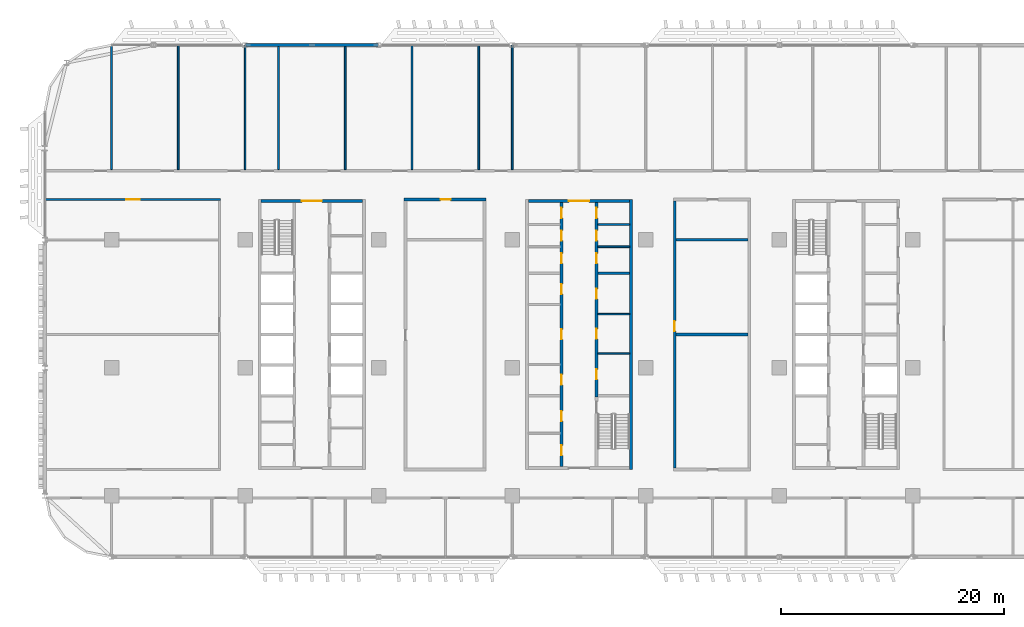
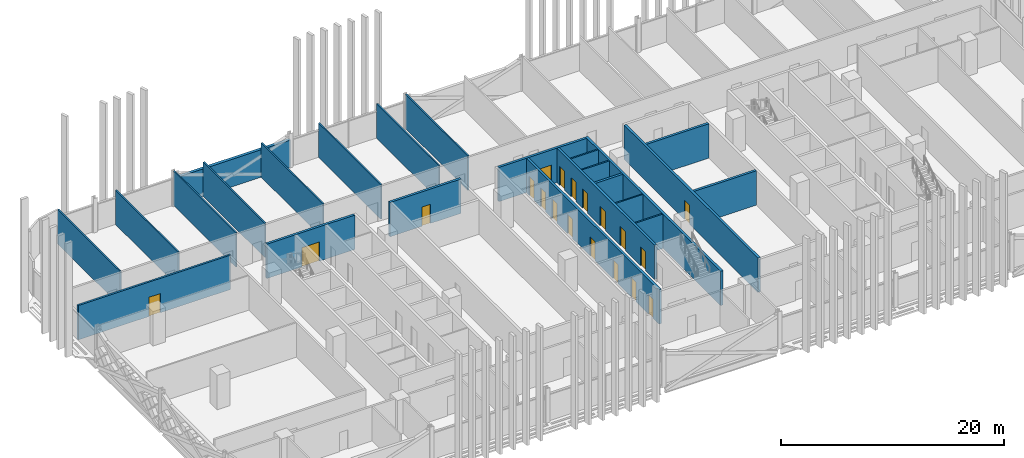
# One storey, part 15 of 32: 24 walls, 19 doors, 19 openings.
"""IFC4 building model written with IfcOpenShell, lengths in metres."""

from ifc_helpers import new_model, si_unit, direction, frame, frame_2d, origin, place, context, subcontext, project, spatial, rectangle, extrude, material, layer, layer_set, type_object, element, fill, save


model = new_model("IFC4")

# Units and contexts
model_context = context("Model", 3, precision=1e-05, world=origin(), true_north=direction((0.0, 1.0)))
body_context = subcontext(model_context, "Body", "Model", "MODEL_VIEW")
ifc_project = project(units=[si_unit("LENGTHUNIT", "METRE"), si_unit("AREAUNIT", "SQUARE_METRE"), si_unit("VOLUMEUNIT", "CUBIC_METRE"), si_unit("PLANEANGLEUNIT", "RADIAN"), si_unit("MASSUNIT", "GRAM", prefix="KILO")], contexts=[model_context])

# Site, building, storey
site_placement = place(None, origin())
site = spatial("IfcSite", under=ifc_project, at=site_placement, CompositionType="ELEMENT")
building_placement = place(site_placement, origin())
building = spatial("IfcBuilding", under=site, at=building_placement, Name="Mahtab Terrace Research Tower", CompositionType="ELEMENT")
storey_placement = place(building_placement, frame((0.0, 0.0, 138.39990234375)))
storey = spatial("IfcBuildingStorey", under=building, at=storey_placement, Name="L32", CompositionType="ELEMENT", Elevation=138.39990234375)

# Walls
ifc_material_1 = material(Name="Gypsum board partition")
ifc_layer_1 = layer(ifc_material_1, 0.14990234375)
ifc_layer_set_1 = layer_set([ifc_layer_1], Name="Core partition 150")
wall_type_1 = type_object("IfcWallType", Name="Core partition 150", PredefinedType="PARTITIONING", material=ifc_layer_set_1)
for number, where, z_axis, x_axis, name in (
    (1, (1.699951171875, 1.280029296875, 0.0), (0.0, 0.0, 1.0), (1.0, 0.0, 0.0), "Core wall B pEL-172"),
    (2, (1.699951171875, 4.827392578125, 0.0), (0.0, 0.0, 1.0), (1.0, 0.0, 0.0), "Core wall B pEL183"),
    (3, (1.699951171875, 10.875, 0.0), (0.0, 0.0, 1.0), (1.0, 0.0, 0.0), "Core wall B pEN788"),
    (4, (1.699951171875, 12.875, 0.0), (0.0, 0.0, 1.0), (1.0, 0.0, 0.0), "Core wall B pEN988"),
):
    element("IfcWall", number, at=place(storey_placement, frame(where, z_axis=z_axis, x_axis=x_axis)), inside=storey, type_object=wall_type_1, Name=name, PredefinedType="PARTITIONING", context=body_context, shape_type="SweptSolid", body=[
        extrude(rectangle(XDim=2.85009765625, YDim=0.14990234375, at=frame_2d((1.425048828125, 0.0))), origin(), (0.0, 0.0, 1.0), 3.760009765625),
    ])

# Wall, opening, door
ifc_material_2 = material(Name="Concrete C70/85", Category="concrete")
ifc_layer_2 = layer(ifc_material_2, 0.25)
ifc_layer_set_2 = layer_set([ifc_layer_2], Name="Core wall 250")
wall_type_2 = type_object("IfcWallType", Name="Core wall 250", PredefinedType="SOLIDWALL", material=ifc_layer_set_2)
wall_1_placement = place(storey_placement, frame((-28.550048828125, 15.0, 0.0), z_axis=(0.0, 0.0, 1.0), x_axis=(1.0, 0.0, 0.0)))
wall_1 = element("IfcWall", 5, at=wall_1_placement, inside=storey, type_object=wall_type_2, Name="Core wall A endN", PredefinedType="SOLIDWALL", context=body_context, shape_type="SweptSolid", body=[
    extrude(rectangle(XDim=9.10009765625, YDim=0.25, at=frame_2d((4.550048828125, 0.0))), origin(), (0.0, 0.0, 1.0), 3.760009765625),
])
opening_1_placement = place(wall_1_placement, frame((3.64990234375, 0.0, 0.0)))
opening_1 = element("IfcOpeningElement", 6, at=opening_1_placement, cuts=wall_1, Name="Opening A-N1", PredefinedType="OPENING", context=body_context, shape_type="SweptSolid", body=[
    extrude(rectangle(XDim=1.800048828125, YDim=2.10009765625, at=frame_2d((0.89990234375, 1.050048828125))), frame((0.0, 0.135009765625, 0.0), z_axis=(0.0, -1.0, 0.0), x_axis=(1.0, 0.0, 0.0)), (0.0, 0.0, 1.0), 0.27001953125),
])
ifc_material_3 = material(Name="Steel fire door", Category="steel")
door_type_1 = type_object("IfcDoorType", Name="Lobby double door 1800x2100 1 HR", OperationType="DOUBLE_DOOR_SINGLE_SWING", PredefinedType="DOOR", material=ifc_material_3)
door_1_placement = place(opening_1_placement, origin())
door_1 = element("IfcDoor", 7, at=door_1_placement, inside=storey, type_object=door_type_1, Name="Core entrance door A N", OperationType="DOUBLE_DOOR_SINGLE_SWING", OverallHeight=2.10009765625, OverallWidth=1.800048828125, PredefinedType="DOOR", context=body_context, shape_type="SweptSolid", body=[
    extrude(rectangle(XDim=1.800048828125, YDim=2.10009765625, at=frame_2d((0.89990234375, 1.050048828125))), frame((0.0, 0.02490234375, 0.0), z_axis=(0.0, -1.0, 0.0), x_axis=(1.0, 0.0, 0.0)), (0.0, 0.0, 1.0), 0.050048828125),
])
fill(opening_1, door_1)

# Wall
wall_2_placement = place(storey_placement, frame((4.675048828125, -9.125, 0.0), z_axis=(0.0, 0.0, 1.0), x_axis=(0.0, 1.0, 0.0)))
element("IfcWall", 8, at=wall_2_placement, inside=storey, type_object=wall_type_2, Name="Core wall B outerE", PredefinedType="SOLIDWALL", context=body_context, shape_type="SweptSolid", body=[
    extrude(rectangle(XDim=24.25, YDim=0.25, at=frame_2d((12.125, 0.0))), origin(), (0.0, 0.0, 1.0), 3.760009765625),
])

# Wall, opening, door
wall_3_placement = place(storey_placement, frame((-4.550048828125, 15.0, 0.0), z_axis=(0.0, 0.0, 1.0), x_axis=(1.0, 0.0, 0.0)))
wall_3 = element("IfcWall", 9, at=wall_3_placement, inside=storey, type_object=wall_type_2, Name="Core wall B endN", PredefinedType="SOLIDWALL", context=body_context, shape_type="SweptSolid", body=[
    extrude(rectangle(XDim=9.10009765625, YDim=0.25, at=frame_2d((4.550048828125, 0.0))), origin(), (0.0, 0.0, 1.0), 3.760009765625),
])
opening_2_placement = place(wall_3_placement, frame((3.64990234375, 0.0, 0.0)))
opening_2 = element("IfcOpeningElement", 10, at=opening_2_placement, cuts=wall_3, Name="Opening B-N1", PredefinedType="OPENING", context=body_context, shape_type="SweptSolid", body=[
    extrude(rectangle(XDim=1.800048828125, YDim=2.10009765625, at=frame_2d((0.89990234375, 1.050048828125))), frame((0.0, 0.135009765625, 0.0), z_axis=(0.0, -1.0, 0.0), x_axis=(1.0, 0.0, 0.0)), (0.0, 0.0, 1.0), 0.27001953125),
])
door_2_placement = place(opening_2_placement, origin())
door_2 = element("IfcDoor", 11, at=door_2_placement, inside=storey, type_object=door_type_1, Name="Core entrance door B N", OperationType="DOUBLE_DOOR_SINGLE_SWING", OverallHeight=2.10009765625, OverallWidth=1.800048828125, PredefinedType="DOOR", context=body_context, shape_type="SweptSolid", body=[
    extrude(rectangle(XDim=1.800048828125, YDim=2.10009765625, at=frame_2d((0.89990234375, 1.050048828125))), frame((0.0, 0.02490234375, 0.0), z_axis=(0.0, -1.0, 0.0), x_axis=(1.0, 0.0, 0.0)), (0.0, 0.0, 1.0), 0.050048828125),
])
fill(opening_2, door_2)

# Wall, openings, doors
wall_4_placement = place(storey_placement, frame((-1.574951171875, -8.875, 0.0), z_axis=(0.0, 0.0, 1.0), x_axis=(0.0, 1.0, 0.0)))
wall_4 = element("IfcWall", 12, at=wall_4_placement, inside=storey, type_object=wall_type_2, Name="Core wall B innerWSLN", PredefinedType="SOLIDWALL", context=body_context, shape_type="SweptSolid", body=[
    extrude(rectangle(XDim=23.75, YDim=0.25, at=frame_2d((11.875, 0.0))), origin(), (0.0, 0.0, 1.0), 3.760009765625),
])
opening_3_placement = place(wall_4_placement, frame((7.356201171875, 0.0, 0.0)))
opening_3 = element("IfcOpeningElement", 13, at=opening_3_placement, cuts=wall_4, Name="Opening B-R1", PredefinedType="OPENING", context=body_context, shape_type="SweptSolid", body=[
    extrude(rectangle(XDim=0.89990234375, YDim=2.10009765625, at=frame_2d((0.449951171875, 1.050048828125))), frame((0.0, 0.135009765625, 0.0), z_axis=(0.0, -1.0, 0.0), x_axis=(1.0, 0.0, 0.0)), (0.0, 0.0, 1.0), 0.27001953125),
])
opening_4_placement = place(wall_4_placement, frame((11.425048828125, 0.0, 0.0)))
opening_4 = element("IfcOpeningElement", 14, at=opening_4_placement, cuts=wall_4, Name="Opening B-R2", PredefinedType="OPENING", context=body_context, shape_type="SweptSolid", body=[
    extrude(rectangle(XDim=0.89990234375, YDim=2.10009765625, at=frame_2d((0.449951171875, 1.050048828125))), frame((0.0, 0.135009765625, 0.0), z_axis=(0.0, -1.0, 0.0), x_axis=(1.0, 0.0, 0.0)), (0.0, 0.0, 1.0), 0.27001953125),
])
opening_5_placement = place(wall_4_placement, frame((15.493896484375, 0.0, 0.0)))
opening_5 = element("IfcOpeningElement", 15, at=opening_5_placement, cuts=wall_4, Name="Opening B-R3", PredefinedType="OPENING", context=body_context, shape_type="SweptSolid", body=[
    extrude(rectangle(XDim=0.89990234375, YDim=2.10009765625, at=frame_2d((0.449951171875, 1.050048828125))), frame((0.0, 0.135009765625, 0.0), z_axis=(0.0, -1.0, 0.0), x_axis=(1.0, 0.0, 0.0)), (0.0, 0.0, 1.0), 0.27001953125),
])
opening_6_placement = place(wall_4_placement, frame((1.012451171875, 0.0, 0.0)))
opening_6 = element("IfcOpeningElement", 16, at=opening_6_placement, cuts=wall_4, Name="Opening B-R7", PredefinedType="OPENING", context=body_context, shape_type="SweptSolid", body=[
    extrude(rectangle(XDim=0.89990234375, YDim=2.10009765625, at=frame_2d((0.449951171875, 1.050048828125))), frame((0.0, 0.135009765625, 0.0), z_axis=(0.0, -1.0, 0.0), x_axis=(1.0, 0.0, 0.0)), (0.0, 0.0, 1.0), 0.27001953125),
])
opening_7_placement = place(wall_4_placement, frame((4.08740234375, 0.0, 0.0)))
opening_7 = element("IfcOpeningElement", 17, at=opening_7_placement, cuts=wall_4, Name="Opening B-R8", PredefinedType="OPENING", context=body_context, shape_type="SweptSolid", body=[
    extrude(rectangle(XDim=0.89990234375, YDim=2.10009765625, at=frame_2d((0.449951171875, 1.050048828125))), frame((0.0, 0.135009765625, 0.0), z_axis=(0.0, -1.0, 0.0), x_axis=(1.0, 0.0, 0.0)), (0.0, 0.0, 1.0), 0.27001953125),
])
opening_8_placement = place(wall_4_placement, frame((18.262451171875, 0.0, 0.0)))
opening_8 = element("IfcOpeningElement", 18, at=opening_8_placement, cuts=wall_4, Name="Opening B-R9", PredefinedType="OPENING", context=body_context, shape_type="SweptSolid", body=[
    extrude(rectangle(XDim=0.89990234375, YDim=2.10009765625, at=frame_2d((0.449951171875, 1.050048828125))), frame((0.0, 0.135009765625, 0.0), z_axis=(0.0, -1.0, 0.0), x_axis=(1.0, 0.0, 0.0)), (0.0, 0.0, 1.0), 0.27001953125),
])
opening_9_placement = place(wall_4_placement, frame((20.300048828125, 0.0, 0.0)))
opening_9 = element("IfcOpeningElement", 19, at=opening_9_placement, cuts=wall_4, Name="Opening B-R10", PredefinedType="OPENING", context=body_context, shape_type="SweptSolid", body=[
    extrude(rectangle(XDim=0.89990234375, YDim=2.10009765625, at=frame_2d((0.449951171875, 1.050048828125))), frame((0.0, 0.135009765625, 0.0), z_axis=(0.0, -1.0, 0.0), x_axis=(1.0, 0.0, 0.0)), (0.0, 0.0, 1.0), 0.27001953125),
])
opening_10_placement = place(wall_4_placement, frame((22.33740234375, 0.0, 0.0)))
opening_10 = element("IfcOpeningElement", 20, at=opening_10_placement, cuts=wall_4, Name="Opening B-R11", PredefinedType="OPENING", context=body_context, shape_type="SweptSolid", body=[
    extrude(rectangle(XDim=0.89990234375, YDim=2.10009765625, at=frame_2d((0.449951171875, 1.050048828125))), frame((0.0, 0.135009765625, 0.0), z_axis=(0.0, -1.0, 0.0), x_axis=(1.0, 0.0, 0.0)), (0.0, 0.0, 1.0), 0.27001953125),
])
door_type_2 = type_object("IfcDoorType", Name="Room door 900x2100 1 HR", OperationType="NOTDEFINED", PredefinedType="DOOR", material=ifc_material_3)
door_3_placement = place(opening_3_placement, origin())
door_3 = element("IfcDoor", 21, at=door_3_placement, inside=storey, type_object=door_type_2, Name="Comms room door", OperationType="SINGLE_SWING_LEFT", OverallHeight=2.10009765625, OverallWidth=0.89990234375, PredefinedType="DOOR", context=body_context, shape_type="SweptSolid", body=[
    extrude(rectangle(XDim=0.89990234375, YDim=2.10009765625, at=frame_2d((0.449951171875, 1.050048828125))), frame((0.0, 0.02490234375, 0.0), z_axis=(0.0, -1.0, 0.0), x_axis=(1.0, 0.0, 0.0)), (0.0, 0.0, 1.0), 0.050048828125),
])
fill(opening_3, door_3)
door_4_placement = place(opening_4_placement, origin())
door_4 = element("IfcDoor", 22, at=door_4_placement, inside=storey, type_object=door_type_2, Name="Meeting alcove door", OperationType="SINGLE_SWING_RIGHT", OverallHeight=2.10009765625, OverallWidth=0.89990234375, PredefinedType="DOOR", context=body_context, shape_type="SweptSolid", body=[
    extrude(rectangle(XDim=0.89990234375, YDim=2.10009765625, at=frame_2d((0.449951171875, 1.050048828125))), frame((0.0, 0.02490234375, 0.0), z_axis=(0.0, -1.0, 0.0), x_axis=(1.0, 0.0, 0.0)), (0.0, 0.0, 1.0), 0.050048828125),
])
fill(opening_4, door_4)
door_5_placement = place(opening_5_placement, origin())
door_5 = element("IfcDoor", 23, at=door_5_placement, inside=storey, type_object=door_type_2, Name="Linen store door", OperationType="SINGLE_SWING_LEFT", OverallHeight=2.10009765625, OverallWidth=0.89990234375, PredefinedType="DOOR", context=body_context, shape_type="SweptSolid", body=[
    extrude(rectangle(XDim=0.89990234375, YDim=2.10009765625, at=frame_2d((0.449951171875, 1.050048828125))), frame((0.0, 0.02490234375, 0.0), z_axis=(0.0, -1.0, 0.0), x_axis=(1.0, 0.0, 0.0)), (0.0, 0.0, 1.0), 0.050048828125),
])
fill(opening_5, door_5)
door_6_placement = place(opening_6_placement, origin())
door_6 = element("IfcDoor", 24, at=door_6_placement, inside=storey, type_object=door_type_2, Name="Housekeeping store door", OperationType="SINGLE_SWING_LEFT", OverallHeight=2.10009765625, OverallWidth=0.89990234375, PredefinedType="DOOR", context=body_context, shape_type="SweptSolid", body=[
    extrude(rectangle(XDim=0.89990234375, YDim=2.10009765625, at=frame_2d((0.449951171875, 1.050048828125))), frame((0.0, 0.02490234375, 0.0), z_axis=(0.0, -1.0, 0.0), x_axis=(1.0, 0.0, 0.0)), (0.0, 0.0, 1.0), 0.050048828125),
])
fill(opening_6, door_6)
door_7_placement = place(opening_7_placement, origin())
door_7 = element("IfcDoor", 25, at=door_7_placement, inside=storey, type_object=door_type_2, Name="Electrical riser room door", OperationType="SINGLE_SWING_RIGHT", OverallHeight=2.10009765625, OverallWidth=0.89990234375, PredefinedType="DOOR", context=body_context, shape_type="SweptSolid", body=[
    extrude(rectangle(XDim=0.89990234375, YDim=2.10009765625, at=frame_2d((0.449951171875, 1.050048828125))), frame((0.0, 0.02490234375, 0.0), z_axis=(0.0, -1.0, 0.0), x_axis=(1.0, 0.0, 0.0)), (0.0, 0.0, 1.0), 0.050048828125),
])
fill(opening_7, door_7)
door_8_placement = place(opening_8_placement, origin())
door_8 = element("IfcDoor", 26, at=door_8_placement, inside=storey, type_object=door_type_2, Name="Comms riser room door", OperationType="SINGLE_SWING_LEFT", OverallHeight=2.10009765625, OverallWidth=0.89990234375, PredefinedType="DOOR", context=body_context, shape_type="SweptSolid", body=[
    extrude(rectangle(XDim=0.89990234375, YDim=2.10009765625, at=frame_2d((0.449951171875, 1.050048828125))), frame((0.0, 0.02490234375, 0.0), z_axis=(0.0, -1.0, 0.0), x_axis=(1.0, 0.0, 0.0)), (0.0, 0.0, 1.0), 0.050048828125),
])
fill(opening_8, door_8)
door_9_placement = place(opening_9_placement, origin())
door_9 = element("IfcDoor", 27, at=door_9_placement, inside=storey, type_object=door_type_2, Name="Pantry door", OperationType="SINGLE_SWING_RIGHT", OverallHeight=2.10009765625, OverallWidth=0.89990234375, PredefinedType="DOOR", context=body_context, shape_type="SweptSolid", body=[
    extrude(rectangle(XDim=0.89990234375, YDim=2.10009765625, at=frame_2d((0.449951171875, 1.050048828125))), frame((0.0, 0.02490234375, 0.0), z_axis=(0.0, -1.0, 0.0), x_axis=(1.0, 0.0, 0.0)), (0.0, 0.0, 1.0), 0.050048828125),
])
fill(opening_9, door_9)
door_10_placement = place(opening_10_placement, origin())
door_10 = element("IfcDoor", 28, at=door_10_placement, inside=storey, type_object=door_type_2, Name="Cleaners store door", OperationType="SINGLE_SWING_LEFT", OverallHeight=2.10009765625, OverallWidth=0.89990234375, PredefinedType="DOOR", context=body_context, shape_type="SweptSolid", body=[
    extrude(rectangle(XDim=0.89990234375, YDim=2.10009765625, at=frame_2d((0.449951171875, 1.050048828125))), frame((0.0, 0.02490234375, 0.0), z_axis=(0.0, -1.0, 0.0), x_axis=(1.0, 0.0, 0.0)), (0.0, 0.0, 1.0), 0.050048828125),
])
fill(opening_10, door_10)

wall_5_placement = place(storey_placement, frame((1.574951171875, 14.875, 0.0), z_axis=(0.0, 0.0, 1.0), x_axis=(0.0, -1.0, 0.0)))
wall_5 = element("IfcWall", 29, at=wall_5_placement, inside=storey, type_object=wall_type_2, Name="Core wall B innerELN", PredefinedType="SOLIDWALL", context=body_context, shape_type="SweptSolid", body=[
    extrude(rectangle(XDim=17.5, YDim=0.25, at=frame_2d((8.75, 0.0))), origin(), (0.0, 0.0, 1.0), 3.760009765625),
])
opening_11_placement = place(wall_5_placement, frame((15.010009765625, 0.0, 0.0)))
opening_11 = element("IfcOpeningElement", 30, at=opening_11_placement, cuts=wall_5, Name="Opening B-R4", PredefinedType="OPENING", context=body_context, shape_type="SweptSolid", body=[
    extrude(rectangle(XDim=0.89990234375, YDim=2.10009765625, at=frame_2d((0.449951171875, 1.050048828125))), frame((0.0, 0.135009765625, 0.0), z_axis=(0.0, -1.0, 0.0), x_axis=(1.0, 0.0, 0.0)), (0.0, 0.0, 1.0), 0.27001953125),
])
opening_12_placement = place(wall_5_placement, frame((11.37109375, 0.0, 0.0)))
opening_12 = element("IfcOpeningElement", 31, at=opening_12_placement, cuts=wall_5, Name="Opening B-R5", PredefinedType="OPENING", context=body_context, shape_type="SweptSolid", body=[
    extrude(rectangle(XDim=0.89990234375, YDim=2.10009765625, at=frame_2d((0.449951171875, 1.050048828125))), frame((0.0, 0.135009765625, 0.0), z_axis=(0.0, -1.0, 0.0), x_axis=(1.0, 0.0, 0.0)), (0.0, 0.0, 1.0), 0.27001953125),
])
opening_13_placement = place(wall_5_placement, frame((7.7861328125, 0.0, 0.0)))
opening_13 = element("IfcOpeningElement", 32, at=opening_13_placement, cuts=wall_5, Name="Opening B-R6", PredefinedType="OPENING", context=body_context, shape_type="SweptSolid", body=[
    extrude(rectangle(XDim=0.89990234375, YDim=2.10009765625, at=frame_2d((0.449951171875, 1.050048828125))), frame((0.0, 0.135009765625, 0.0), z_axis=(0.0, -1.0, 0.0), x_axis=(1.0, 0.0, 0.0)), (0.0, 0.0, 1.0), 0.27001953125),
])
opening_14_placement = place(wall_5_placement, frame((4.58740234375, 0.0, 0.0)))
opening_14 = element("IfcOpeningElement", 33, at=opening_14_placement, cuts=wall_5, Name="Opening B-R12", PredefinedType="OPENING", context=body_context, shape_type="SweptSolid", body=[
    extrude(rectangle(XDim=0.89990234375, YDim=2.10009765625, at=frame_2d((0.449951171875, 1.050048828125))), frame((0.0, 0.135009765625, 0.0), z_axis=(0.0, -1.0, 0.0), x_axis=(1.0, 0.0, 0.0)), (0.0, 0.0, 1.0), 0.27001953125),
])
opening_15_placement = place(wall_5_placement, frame((2.550048828125, 0.0, 0.0)))
opening_15 = element("IfcOpeningElement", 34, at=opening_15_placement, cuts=wall_5, Name="Opening B-R13", PredefinedType="OPENING", context=body_context, shape_type="SweptSolid", body=[
    extrude(rectangle(XDim=0.89990234375, YDim=2.10009765625, at=frame_2d((0.449951171875, 1.050048828125))), frame((0.0, 0.135009765625, 0.0), z_axis=(0.0, -1.0, 0.0), x_axis=(1.0, 0.0, 0.0)), (0.0, 0.0, 1.0), 0.27001953125),
])
opening_16_placement = place(wall_5_placement, frame((0.512451171875, 0.0, 0.0)))
opening_16 = element("IfcOpeningElement", 35, at=opening_16_placement, cuts=wall_5, Name="Opening B-R14", PredefinedType="OPENING", context=body_context, shape_type="SweptSolid", body=[
    extrude(rectangle(XDim=0.89990234375, YDim=2.10009765625, at=frame_2d((0.449951171875, 1.050048828125))), frame((0.0, 0.135009765625, 0.0), z_axis=(0.0, -1.0, 0.0), x_axis=(1.0, 0.0, 0.0)), (0.0, 0.0, 1.0), 0.27001953125),
])
door_11_placement = place(opening_11_placement, origin())
door_11 = element("IfcDoor", 36, at=door_11_placement, inside=storey, type_object=door_type_2, Name="Battery room door", OperationType="SINGLE_SWING_RIGHT", OverallHeight=2.10009765625, OverallWidth=0.89990234375, PredefinedType="DOOR", context=body_context, shape_type="SweptSolid", body=[
    extrude(rectangle(XDim=0.89990234375, YDim=2.10009765625, at=frame_2d((0.449951171875, 1.050048828125))), frame((0.0, 0.02490234375, 0.0), z_axis=(0.0, -1.0, 0.0), x_axis=(1.0, 0.0, 0.0)), (0.0, 0.0, 1.0), 0.050048828125),
])
fill(opening_11, door_11)
door_12_placement = place(opening_12_placement, origin())
door_12 = element("IfcDoor", 37, at=door_12_placement, inside=storey, type_object=door_type_2, Name="Cooling plant room door", OperationType="SINGLE_SWING_LEFT", OverallHeight=2.10009765625, OverallWidth=0.89990234375, PredefinedType="DOOR", context=body_context, shape_type="SweptSolid", body=[
    extrude(rectangle(XDim=0.89990234375, YDim=2.10009765625, at=frame_2d((0.449951171875, 1.050048828125))), frame((0.0, 0.02490234375, 0.0), z_axis=(0.0, -1.0, 0.0), x_axis=(1.0, 0.0, 0.0)), (0.0, 0.0, 1.0), 0.050048828125),
])
fill(opening_12, door_12)
door_13_placement = place(opening_13_placement, origin())
door_13 = element("IfcDoor", 38, at=door_13_placement, inside=storey, type_object=door_type_2, Name="Spare parts store door", OperationType="SINGLE_SWING_RIGHT", OverallHeight=2.10009765625, OverallWidth=0.89990234375, PredefinedType="DOOR", context=body_context, shape_type="SweptSolid", body=[
    extrude(rectangle(XDim=0.89990234375, YDim=2.10009765625, at=frame_2d((0.449951171875, 1.050048828125))), frame((0.0, 0.02490234375, 0.0), z_axis=(0.0, -1.0, 0.0), x_axis=(1.0, 0.0, 0.0)), (0.0, 0.0, 1.0), 0.050048828125),
])
fill(opening_13, door_13)
door_14_placement = place(opening_14_placement, origin())
door_14 = element("IfcDoor", 39, at=door_14_placement, inside=storey, type_object=door_type_2, Name="Male WC door", OperationType="SINGLE_SWING_RIGHT", OverallHeight=2.10009765625, OverallWidth=0.89990234375, PredefinedType="DOOR", context=body_context, shape_type="SweptSolid", body=[
    extrude(rectangle(XDim=0.89990234375, YDim=2.10009765625, at=frame_2d((0.449951171875, 1.050048828125))), frame((0.0, 0.02490234375, 0.0), z_axis=(0.0, -1.0, 0.0), x_axis=(1.0, 0.0, 0.0)), (0.0, 0.0, 1.0), 0.050048828125),
])
fill(opening_14, door_14)
door_15_placement = place(opening_15_placement, origin())
door_15 = element("IfcDoor", 40, at=door_15_placement, inside=storey, type_object=door_type_2, Name="Female WC door", OperationType="SINGLE_SWING_LEFT", OverallHeight=2.10009765625, OverallWidth=0.89990234375, PredefinedType="DOOR", context=body_context, shape_type="SweptSolid", body=[
    extrude(rectangle(XDim=0.89990234375, YDim=2.10009765625, at=frame_2d((0.449951171875, 1.050048828125))), frame((0.0, 0.02490234375, 0.0), z_axis=(0.0, -1.0, 0.0), x_axis=(1.0, 0.0, 0.0)), (0.0, 0.0, 1.0), 0.050048828125),
])
fill(opening_15, door_15)
door_16_placement = place(opening_16_placement, origin())
door_16 = element("IfcDoor", 41, at=door_16_placement, inside=storey, type_object=door_type_2, Name="Accessible WC door", OperationType="SINGLE_SWING_RIGHT", OverallHeight=2.10009765625, OverallWidth=0.89990234375, PredefinedType="DOOR", context=body_context, shape_type="SweptSolid", body=[
    extrude(rectangle(XDim=0.89990234375, YDim=2.10009765625, at=frame_2d((0.449951171875, 1.050048828125))), frame((0.0, 0.02490234375, 0.0), z_axis=(0.0, -1.0, 0.0), x_axis=(1.0, 0.0, 0.0)), (0.0, 0.0, 1.0), 0.050048828125),
])
fill(opening_16, door_16)

# Walls
wall_6_placement = place(storey_placement, frame((1.699951171875, 8.5, 0.0), z_axis=(0.0, 0.0, 1.0), x_axis=(1.0, 0.0, 0.0)))
element("IfcWall", 42, at=wall_6_placement, inside=storey, type_object=wall_type_2, Name="Core wall B divE4", PredefinedType="SOLIDWALL", context=body_context, shape_type="SweptSolid", body=[
    extrude(rectangle(XDim=2.85009765625, YDim=0.25, at=frame_2d((1.425048828125, 0.0))), origin(), (0.0, 0.0, 1.0), 3.760009765625),
])
ifc_material_4 = material(Name="Black aluminium cladding panel", Category="aluminium")
ifc_layer_3 = layer(ifc_material_4, 0.300048828125)
ifc_layer_set_3 = layer_set([ifc_layer_3], Name="Opaque facade wall 300")
wall_type_3 = type_object("IfcWallType", Name="Opaque facade wall 300", PredefinedType="NOTDEFINED", material=ifc_layer_set_3)
wall_7_placement = place(storey_placement, frame((-18.017822265625, 29.0, 0.0), z_axis=(0.0, 0.0, 1.0), x_axis=(-1.0, 0.0, 0.0)))
element("IfcWall", 43, at=wall_7_placement, inside=storey, type_object=wall_type_3, Name="Opaque facade wall L32 N8", PredefinedType="NOTDEFINED", context=body_context, shape_type="SweptSolid", body=[
    extrude(rectangle(XDim=11.96435546875, YDim=0.300048828125, at=frame_2d((5.982177734375, 0.0))), origin(), (0.0, 0.0, 1.0), 3.003173828125),
])
ifc_material_5 = material(Name="Masonry control area wall", Category="masonry")
ifc_layer_4 = layer(ifc_material_5, 0.25)
ifc_layer_set_4 = layer_set([ifc_layer_4], Name="WALL CONTROL AREA 250")
wall_type_4 = type_object("IfcWallType", Name="WALL CONTROL AREA 250", PredefinedType="PARTITIONING", material=ifc_layer_set_4)
for number, where, z_axis, x_axis, name in (
    (44, (8.72509765625, 3.0, 0.0), (0.0, 0.0, 1.0), (1.0, 0.0, 0.0), "L32-W015"),
    (45, (8.72509765625, 11.5, 0.0), (0.0, 0.0, 1.0), (1.0, 0.0, 0.0), "L32-W019"),
):
    element("IfcWall", number, at=place(storey_placement, frame(where, z_axis=z_axis, x_axis=x_axis)), inside=storey, type_object=wall_type_4, Name=name, PredefinedType="PARTITIONING", context=body_context, shape_type="SweptSolid", body=[
        extrude(rectangle(XDim=6.449951171875, YDim=0.25, at=frame_2d((3.22509765625, 0.0))), origin(), (0.0, 0.0, 1.0), 3.760009765625),
    ])

# Wall, opening, door
wall_8_placement = place(storey_placement, frame((-15.72509765625, 15.125, 0.0), z_axis=(0.0, 0.0, 1.0), x_axis=(1.0, 0.0, 0.0)))
wall_8 = element("IfcWall", 46, at=wall_8_placement, inside=storey, type_object=wall_type_4, Name="L32-W023", PredefinedType="PARTITIONING", context=body_context, shape_type="SweptSolid", body=[
    extrude(rectangle(XDim=7.35009765625, YDim=0.25, at=frame_2d((3.675048828125, 0.0))), origin(), (0.0, 0.0, 1.0), 3.760009765625),
])
opening_17_placement = place(wall_8_placement, frame((3.300048828125, 0.0, 0.0)))
opening_17 = element("IfcOpeningElement", 47, at=opening_17_placement, cuts=wall_8, Name="Opening L32-125", PredefinedType="OPENING", context=body_context, shape_type="SweptSolid", body=[
    extrude(rectangle(XDim=0.89990234375, YDim=2.10009765625, at=frame_2d((0.449951171875, 1.050048828125))), frame((0.0, 0.135009765625, 0.0), z_axis=(0.0, -1.0, 0.0), x_axis=(1.0, 0.0, 0.0)), (0.0, 0.0, 1.0), 0.27001953125),
])
ifc_material_6 = material(Name="Timber door leaf in steel frame", Category="steel")
door_type_3 = type_object("IfcDoorType", Name="DOOR 0900X2100 FD120", OperationType="SINGLE_SWING_LEFT", PredefinedType="DOOR", material=ifc_material_6)
door_17_placement = place(opening_17_placement, origin())
door_17 = element("IfcDoor", 48, at=door_17_placement, inside=storey, type_object=door_type_3, Name="Door L32-125", OperationType="SINGLE_SWING_LEFT", OverallHeight=2.10009765625, OverallWidth=0.89990234375, PredefinedType="DOOR", context=body_context, shape_type="SweptSolid", body=[
    extrude(rectangle(XDim=0.89990234375, YDim=2.10009765625, at=frame_2d((0.449951171875, 1.050048828125))), frame((0.0, 0.02490234375, 0.0), z_axis=(0.0, -1.0, 0.0), x_axis=(1.0, 0.0, 0.0)), (0.0, 0.0, 1.0), 0.050048828125),
])
fill(opening_17, door_17)

wall_9_placement = place(storey_placement, frame((8.60009765625, -9.0, 0.0), z_axis=(0.0, 0.0, 1.0), x_axis=(0.0, 1.0, 0.0)))
wall_9 = element("IfcWall", 49, at=wall_9_placement, inside=storey, type_object=wall_type_4, Name="L32-W049", PredefinedType="PARTITIONING", context=body_context, shape_type="SweptSolid", body=[
    extrude(rectangle(XDim=24.0, YDim=0.25, at=frame_2d((12.0, 0.0))), origin(), (0.0, 0.0, 1.0), 3.760009765625),
])
opening_18_placement = place(wall_9_placement, frame((12.300048828125, 0.0, 0.0)))
opening_18 = element("IfcOpeningElement", 50, at=opening_18_placement, cuts=wall_9, Name="Opening L32-123", PredefinedType="OPENING", context=body_context, shape_type="SweptSolid", body=[
    extrude(rectangle(XDim=0.89990234375, YDim=2.10009765625, at=frame_2d((0.449951171875, 1.050048828125))), frame((0.0, 0.135009765625, 0.0), z_axis=(0.0, -1.0, 0.0), x_axis=(1.0, 0.0, 0.0)), (0.0, 0.0, 1.0), 0.27001953125),
])
door_18_placement = place(opening_18_placement, origin())
door_18 = element("IfcDoor", 51, at=door_18_placement, inside=storey, type_object=door_type_3, Name="Door L32-123", OperationType="SINGLE_SWING_LEFT", OverallHeight=2.10009765625, OverallWidth=0.89990234375, PredefinedType="DOOR", context=body_context, shape_type="SweptSolid", body=[
    extrude(rectangle(XDim=0.89990234375, YDim=2.10009765625, at=frame_2d((0.449951171875, 1.050048828125))), frame((0.0, 0.02490234375, 0.0), z_axis=(0.0, -1.0, 0.0), x_axis=(1.0, 0.0, 0.0)), (0.0, 0.0, 1.0), 0.050048828125),
])
fill(opening_18, door_18)

ifc_material_7 = material(Name="Gypsum board corridor wall on steel studs", Category="steel")
ifc_layer_5 = layer(ifc_material_7, 0.199951171875)
ifc_layer_set_5 = layer_set([ifc_layer_5], Name="WALL CORRIDOR 200")
wall_type_5 = type_object("IfcWallType", Name="WALL CORRIDOR 200", PredefinedType="PARTITIONING", material=ifc_layer_set_5)
wall_10_placement = place(storey_placement, frame((-47.97509765625, 15.125, 0.0), z_axis=(0.0, 0.0, 1.0), x_axis=(1.0, 0.0, 0.0)))
wall_10 = element("IfcWall", 52, at=wall_10_placement, inside=storey, type_object=wall_type_5, Name="L32-W022", PredefinedType="PARTITIONING", context=body_context, shape_type="SweptSolid", body=[
    extrude(rectangle(XDim=15.775146484375, YDim=0.199951171875, at=frame_2d((7.8876953125, 0.0))), origin(), (0.0, 0.0, 1.0), 3.760009765625),
])
opening_19_placement = place(wall_10_placement, frame((7.300048828125, 0.0, 0.0)))
opening_19 = element("IfcOpeningElement", 53, at=opening_19_placement, cuts=wall_10, Name="Opening L32-124", PredefinedType="OPENING", context=body_context, shape_type="SweptSolid", body=[
    extrude(rectangle(XDim=1.199951171875, YDim=2.10009765625, at=frame_2d((0.60009765625, 1.050048828125))), frame((0.0, 0.10986328125, 0.0), z_axis=(0.0, -1.0, 0.0), x_axis=(1.0, 0.0, 0.0)), (0.0, 0.0, 1.0), 0.219970703125),
])
door_type_4 = type_object("IfcDoorType", Name="DOOR 1200X2100 FD30S", OperationType="SINGLE_SWING_LEFT", PredefinedType="DOOR", material=ifc_material_6)
door_19_placement = place(opening_19_placement, origin())
door_19 = element("IfcDoor", 54, at=door_19_placement, inside=storey, type_object=door_type_4, Name="Door L32-124", OperationType="SINGLE_SWING_LEFT", OverallHeight=2.10009765625, OverallWidth=1.199951171875, PredefinedType="DOOR", context=body_context, shape_type="SweptSolid", body=[
    extrude(rectangle(XDim=1.199951171875, YDim=2.10009765625, at=frame_2d((0.60009765625, 1.050048828125))), frame((0.0, 0.02490234375, 0.0), z_axis=(0.0, -1.0, 0.0), x_axis=(1.0, 0.0, 0.0)), (0.0, 0.0, 1.0), 0.050048828125),
])
fill(opening_19, door_19)

# Walls
ifc_material_8 = material(Name="Gypsum board partition on steel studs", Category="steel")
ifc_layer_6 = layer(ifc_material_8, 0.14990234375)
ifc_layer_set_6 = layer_set([ifc_layer_6], Name="WALL PARTITION 150")
wall_type_6 = type_object("IfcWallType", Name="WALL PARTITION 150", PredefinedType="PARTITIONING", material=ifc_layer_set_6)
for number, where, z_axis, x_axis, name in (
    (55, (-42.0, 17.800048828125, 0.0), (0.0, 0.0, 1.0), (0.0, 1.0, 0.0), "L32-W028"),
    (56, (-36.0, 17.800048828125, 0.0), (0.0, 0.0, 1.0), (0.0, 1.0, 0.0), "L32-W029"),
    (57, (-30.0, 17.800048828125, 0.0), (0.0, 0.0, 1.0), (0.0, 1.0, 0.0), "L32-W033"),
):
    element("IfcWall", number, at=place(storey_placement, frame(where, z_axis=z_axis, x_axis=x_axis)), inside=storey, type_object=wall_type_6, Name=name, PredefinedType="PARTITIONING", context=body_context, shape_type="SweptSolid", body=[
        extrude(rectangle(XDim=11.175048828125, YDim=0.14990234375, at=frame_2d((5.58740234375, 0.0))), origin(), (0.0, 0.0, 1.0), 3.760009765625),
    ])
for number, where, z_axis, x_axis, name in (
    (58, (-27.0, 17.800048828125, 0.0), (0.0, 0.0, 1.0), (0.0, 1.0, 0.0), "L32-W034"),
    (59, (-21.0, 17.800048828125, 0.0), (0.0, 0.0, 1.0), (0.0, 1.0, 0.0), "L32-W037"),
):
    element("IfcWall", number, at=place(storey_placement, frame(where, z_axis=z_axis, x_axis=x_axis)), inside=storey, type_object=wall_type_6, Name=name, PredefinedType="PARTITIONING", context=body_context, shape_type="SweptSolid", body=[
        extrude(rectangle(XDim=11.050048828125, YDim=0.14990234375, at=frame_2d((5.52490234375, 0.0))), origin(), (0.0, 0.0, 1.0), 3.760009765625),
    ])
for number, where, z_axis, x_axis, name in (
    (60, (-15.0, 17.800048828125, 0.0), (0.0, 0.0, 1.0), (0.0, 1.0, 0.0), "L32-W039"),
    (61, (-9.0, 17.800048828125, 0.0), (0.0, 0.0, 1.0), (0.0, 1.0, 0.0), "L32-W041"),
    (62, (-6.0, 17.800048828125, 0.0), (0.0, 0.0, 1.0), (0.0, 1.0, 0.0), "L32-W044"),
):
    element("IfcWall", number, at=place(storey_placement, frame(where, z_axis=z_axis, x_axis=x_axis)), inside=storey, type_object=wall_type_6, Name=name, PredefinedType="PARTITIONING", context=body_context, shape_type="SweptSolid", body=[
        extrude(rectangle(XDim=11.175048828125, YDim=0.14990234375, at=frame_2d((5.58740234375, 0.0))), origin(), (0.0, 0.0, 1.0), 3.760009765625),
    ])

save(model, "model.ifc")
